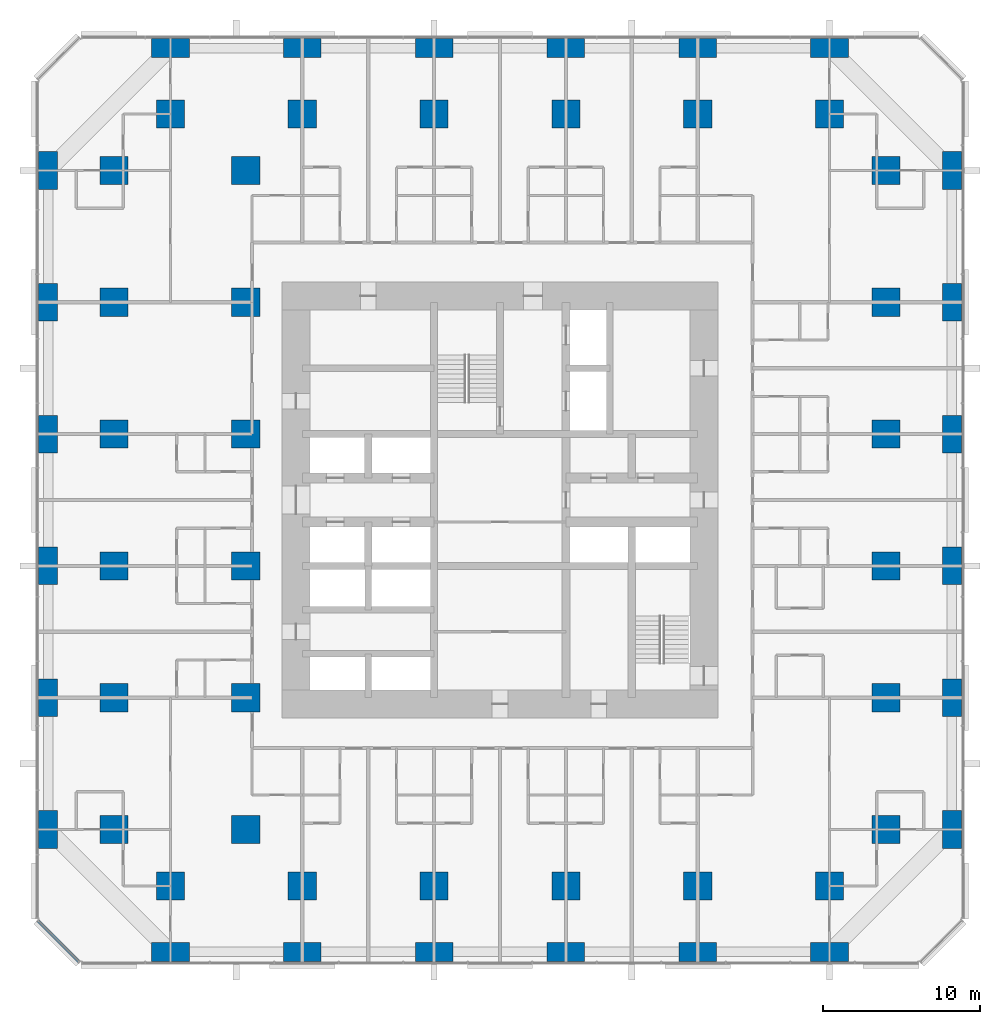
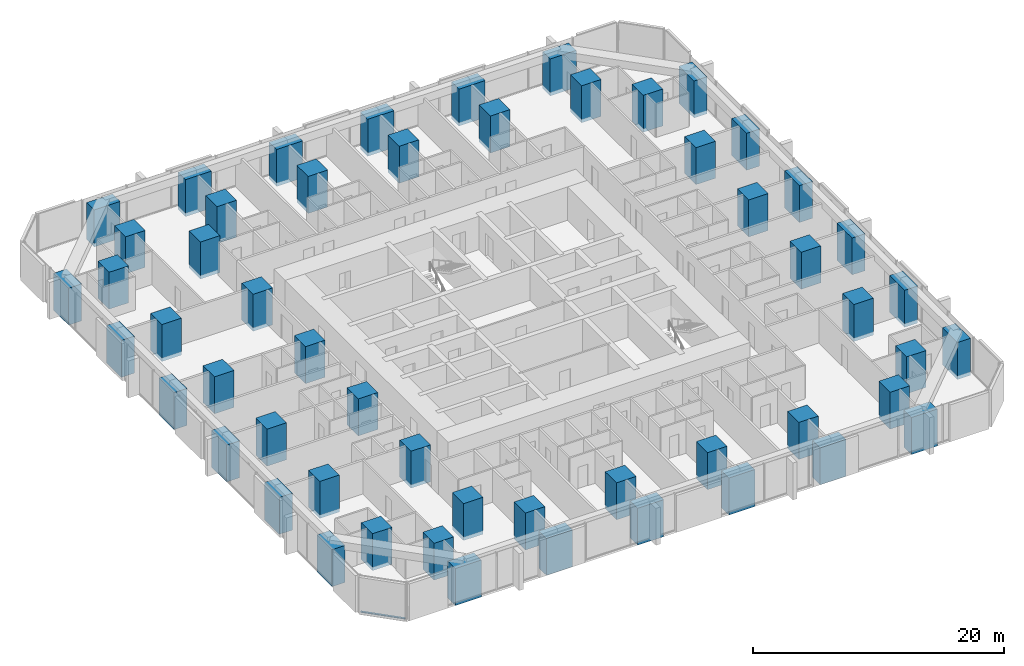
# One storey, part 1 of 18: 54 columns, 1 member, 1 element without a shape of its own.
"""IFC4 building model written with IfcOpenShell, lengths in metres."""

from ifc_helpers import new_model, si_unit, direction, frame, origin, origin_2d, place, context, subcontext, project, spatial, rectangle, extrude, material, material_profile, profile_set, type_object, element, aggregate, save


model = new_model("IFC4")

# Units and contexts
model_context = context("Model", 3, precision=1e-05, world=origin(), true_north=direction((0.0, 1.0)))
body_context = subcontext(model_context, "Body", "Model", "MODEL_VIEW")
ifc_project = project(units=[si_unit("LENGTHUNIT", "METRE"), si_unit("AREAUNIT", "SQUARE_METRE"), si_unit("VOLUMEUNIT", "CUBIC_METRE"), si_unit("PLANEANGLEUNIT", "RADIAN"), si_unit("MASSUNIT", "GRAM", prefix="KILO")], contexts=[model_context])

# Site, building, storey
site_placement = place(None, origin())
site = spatial("IfcSite", under=ifc_project, at=site_placement, CompositionType="ELEMENT")
building_placement = place(site_placement, origin())
building = spatial("IfcBuilding", under=site, at=building_placement, Name="Dunama Terrace Hotel", CompositionType="ELEMENT")
storey_placement = place(building_placement, frame((0.0, 0.0, 30.60009765625)))
storey = spatial("IfcBuildingStorey", under=building, at=storey_placement, Name="L06", CompositionType="ELEMENT", Elevation=30.60009765625)

# Columns
ifc_material_1 = material(Name="Concrete C60/75", Category="concrete")
ifc_material_profile_1 = material_profile(ifc_material_1, rectangle(XDim=1.199951171875, YDim=2.39990234375, at=origin_2d()), Name="RC 1200x2400")
ifc_profile_set_1 = profile_set([ifc_material_profile_1], Name="Concrete C60/75")
column_type_1 = type_object("IfcColumnType", Name="Column RC 1200x2400", PredefinedType="COLUMN", material=ifc_profile_set_1)
for number, where, z_axis, x_axis, name in (
    (1, (0.60009765625, 8.39990234375, -0.35009765625), (0.0, 0.0, 1.0), (1.0, 0.0, 0.0), "Column L06 +0.6/+8.4"),
    (2, (0.60009765625, 16.800048828125, -0.35009765625), (0.0, 0.0, 1.0), (1.0, 0.0, 0.0), "Column L06 +0.6/+16.8"),
    (3, (0.60009765625, 25.199951171875, -0.35009765625), (0.0, 0.0, 1.0), (1.0, 0.0, 0.0), "Column L06 +0.6/+25.2"),
    (4, (0.60009765625, 33.60009765625, -0.35009765625), (0.0, 0.0, 1.0), (1.0, 0.0, 0.0), "Column L06 +0.6/+33.6"),
    (5, (0.60009765625, 42.0, -0.35009765625), (0.0, 0.0, 1.0), (1.0, 0.0, 0.0), "Column L06 +0.6/+42.0"),
    (6, (0.60009765625, 50.39990234375, -0.35009765625), (0.0, 0.0, 1.0), (1.0, 0.0, 0.0), "Column L06 +0.6/+50.4"),
    (7, (58.199951171875, 8.39990234375, -0.35009765625), (0.0, 0.0, 1.0), (1.0, 0.0, 0.0), "Column L06 +58.2/+8.4"),
    (8, (58.199951171875, 16.800048828125, -0.35009765625), (0.0, 0.0, 1.0), (1.0, 0.0, 0.0), "Column L06 +58.2/+16.8"),
    (9, (58.199951171875, 25.199951171875, -0.35009765625), (0.0, 0.0, 1.0), (1.0, 0.0, 0.0), "Column L06 +58.2/+25.2"),
    (10, (58.199951171875, 33.60009765625, -0.35009765625), (0.0, 0.0, 1.0), (1.0, 0.0, 0.0), "Column L06 +58.2/+33.6"),
    (11, (58.199951171875, 42.0, -0.35009765625), (0.0, 0.0, 1.0), (1.0, 0.0, 0.0), "Column L06 +58.2/+42.0"),
    (12, (58.199951171875, 50.39990234375, -0.35009765625), (0.0, 0.0, 1.0), (1.0, 0.0, 0.0), "Column L06 +58.2/+50.4"),
):
    element("IfcColumn", number, at=place(storey_placement, frame(where, z_axis=z_axis, x_axis=x_axis)), inside=storey, type_object=column_type_1, Name=name, PredefinedType="COLUMN", context=body_context, shape_type="SweptSolid", body=[
        extrude(rectangle(XDim=1.199951171875, YDim=2.39990234375, at=origin_2d()), origin(), (0.0, 0.0, 1.0), 3.60009765625),
    ])
ifc_material_2 = material(Name="Concrete C60/75", Category="concrete")
ifc_material_profile_2 = material_profile(ifc_material_2, rectangle(XDim=1.800048828125, YDim=1.800048828125, at=origin_2d()), Name="RC 1800x1800")
ifc_profile_set_2 = profile_set([ifc_material_profile_2], Name="Concrete C60/75")
column_type_2 = type_object("IfcColumnType", Name="Column RC 1800x1800", PredefinedType="COLUMN", material=ifc_profile_set_2)
for number, where, z_axis, x_axis, name in (
    (13, (4.800048828125, 8.39990234375, -0.35009765625), (0.0, 0.0, 1.0), (1.0, 0.0, 0.0), "Column L06 +4.8/+8.4"),
    (14, (4.800048828125, 16.800048828125, -0.35009765625), (0.0, 0.0, 1.0), (1.0, 0.0, 0.0), "Column L06 +4.8/+16.8"),
    (15, (4.800048828125, 25.199951171875, -0.35009765625), (0.0, 0.0, 1.0), (1.0, 0.0, 0.0), "Column L06 +4.8/+25.2"),
    (16, (4.800048828125, 33.60009765625, -0.35009765625), (0.0, 0.0, 1.0), (1.0, 0.0, 0.0), "Column L06 +4.8/+33.6"),
    (17, (4.800048828125, 42.0, -0.35009765625), (0.0, 0.0, 1.0), (1.0, 0.0, 0.0), "Column L06 +4.8/+42.0"),
    (18, (4.800048828125, 50.39990234375, -0.35009765625), (0.0, 0.0, 1.0), (1.0, 0.0, 0.0), "Column L06 +4.8/+50.4"),
    (19, (8.39990234375, 4.800048828125, -0.35009765625), (0.0, 0.0, 1.0), (1.0, 0.0, 0.0), "Column L06 +8.4/+4.8"),
    (20, (8.39990234375, 54.0, -0.35009765625), (0.0, 0.0, 1.0), (1.0, 0.0, 0.0), "Column L06 +8.4/+54.0"),
    (21, (13.199951171875, 8.39990234375, -0.35009765625), (0.0, 0.0, 1.0), (1.0, 0.0, 0.0), "Column L06 +13.2/+8.4"),
    (22, (13.199951171875, 16.800048828125, -0.35009765625), (0.0, 0.0, 1.0), (1.0, 0.0, 0.0), "Column L06 +13.2/+16.8"),
    (23, (13.199951171875, 25.199951171875, -0.35009765625), (0.0, 0.0, 1.0), (1.0, 0.0, 0.0), "Column L06 +13.2/+25.2"),
    (24, (13.199951171875, 33.60009765625, -0.35009765625), (0.0, 0.0, 1.0), (1.0, 0.0, 0.0), "Column L06 +13.2/+33.6"),
    (25, (13.199951171875, 42.0, -0.35009765625), (0.0, 0.0, 1.0), (1.0, 0.0, 0.0), "Column L06 +13.2/+42.0"),
    (26, (13.199951171875, 50.39990234375, -0.35009765625), (0.0, 0.0, 1.0), (1.0, 0.0, 0.0), "Column L06 +13.2/+50.4"),
    (27, (16.800048828125, 4.800048828125, -0.35009765625), (0.0, 0.0, 1.0), (1.0, 0.0, 0.0), "Column L06 +16.8/+4.8"),
    (28, (16.800048828125, 54.0, -0.35009765625), (0.0, 0.0, 1.0), (1.0, 0.0, 0.0), "Column L06 +16.8/+54.0"),
    (29, (25.199951171875, 4.800048828125, -0.35009765625), (0.0, 0.0, 1.0), (1.0, 0.0, 0.0), "Column L06 +25.2/+4.8"),
    (30, (25.199951171875, 54.0, -0.35009765625), (0.0, 0.0, 1.0), (1.0, 0.0, 0.0), "Column L06 +25.2/+54.0"),
    (31, (33.60009765625, 4.800048828125, -0.35009765625), (0.0, 0.0, 1.0), (1.0, 0.0, 0.0), "Column L06 +33.6/+4.8"),
    (32, (33.60009765625, 54.0, -0.35009765625), (0.0, 0.0, 1.0), (1.0, 0.0, 0.0), "Column L06 +33.6/+54.0"),
    (33, (42.0, 4.800048828125, -0.35009765625), (0.0, 0.0, 1.0), (1.0, 0.0, 0.0), "Column L06 +42.0/+4.8"),
    (34, (42.0, 54.0, -0.35009765625), (0.0, 0.0, 1.0), (1.0, 0.0, 0.0), "Column L06 +42.0/+54.0"),
    (35, (50.39990234375, 4.800048828125, -0.35009765625), (0.0, 0.0, 1.0), (1.0, 0.0, 0.0), "Column L06 +50.4/+4.8"),
    (36, (50.39990234375, 54.0, -0.35009765625), (0.0, 0.0, 1.0), (1.0, 0.0, 0.0), "Column L06 +50.4/+54.0"),
    (37, (54.0, 8.39990234375, -0.35009765625), (0.0, 0.0, 1.0), (1.0, 0.0, 0.0), "Column L06 +54.0/+8.4"),
    (38, (54.0, 16.800048828125, -0.35009765625), (0.0, 0.0, 1.0), (1.0, 0.0, 0.0), "Column L06 +54.0/+16.8"),
    (39, (54.0, 25.199951171875, -0.35009765625), (0.0, 0.0, 1.0), (1.0, 0.0, 0.0), "Column L06 +54.0/+25.2"),
    (40, (54.0, 33.60009765625, -0.35009765625), (0.0, 0.0, 1.0), (1.0, 0.0, 0.0), "Column L06 +54.0/+33.6"),
    (41, (54.0, 42.0, -0.35009765625), (0.0, 0.0, 1.0), (1.0, 0.0, 0.0), "Column L06 +54.0/+42.0"),
    (42, (54.0, 50.39990234375, -0.35009765625), (0.0, 0.0, 1.0), (1.0, 0.0, 0.0), "Column L06 +54.0/+50.4"),
):
    element("IfcColumn", number, at=place(storey_placement, frame(where, z_axis=z_axis, x_axis=x_axis)), inside=storey, type_object=column_type_2, Name=name, PredefinedType="COLUMN", context=body_context, shape_type="SweptSolid", body=[
        extrude(rectangle(XDim=1.800048828125, YDim=1.800048828125, at=origin_2d()), origin(), (0.0, 0.0, 1.0), 3.60009765625),
    ])
ifc_material_3 = material(Name="Concrete C60/75", Category="concrete")
ifc_material_profile_3 = material_profile(ifc_material_3, rectangle(XDim=2.39990234375, YDim=1.199951171875, at=origin_2d()), Name="RC 2400x1200")
ifc_profile_set_3 = profile_set([ifc_material_profile_3], Name="Concrete C60/75")
column_type_3 = type_object("IfcColumnType", Name="Column RC 2400x1200", PredefinedType="COLUMN", material=ifc_profile_set_3)
for number, where, z_axis, x_axis, name in (
    (43, (8.39990234375, 0.60009765625, -0.35009765625), (0.0, 0.0, 1.0), (1.0, 0.0, 0.0), "Column L06 +8.4/+0.6"),
    (44, (8.39990234375, 58.199951171875, -0.35009765625), (0.0, 0.0, 1.0), (1.0, 0.0, 0.0), "Column L06 +8.4/+58.2"),
    (45, (16.800048828125, 0.60009765625, -0.35009765625), (0.0, 0.0, 1.0), (1.0, 0.0, 0.0), "Column L06 +16.8/+0.6"),
    (46, (16.800048828125, 58.199951171875, -0.35009765625), (0.0, 0.0, 1.0), (1.0, 0.0, 0.0), "Column L06 +16.8/+58.2"),
    (47, (25.199951171875, 0.60009765625, -0.35009765625), (0.0, 0.0, 1.0), (1.0, 0.0, 0.0), "Column L06 +25.2/+0.6"),
    (48, (25.199951171875, 58.199951171875, -0.35009765625), (0.0, 0.0, 1.0), (1.0, 0.0, 0.0), "Column L06 +25.2/+58.2"),
    (49, (33.60009765625, 0.60009765625, -0.35009765625), (0.0, 0.0, 1.0), (1.0, 0.0, 0.0), "Column L06 +33.6/+0.6"),
    (50, (33.60009765625, 58.199951171875, -0.35009765625), (0.0, 0.0, 1.0), (1.0, 0.0, 0.0), "Column L06 +33.6/+58.2"),
    (51, (42.0, 0.60009765625, -0.35009765625), (0.0, 0.0, 1.0), (1.0, 0.0, 0.0), "Column L06 +42.0/+0.6"),
    (52, (42.0, 58.199951171875, -0.35009765625), (0.0, 0.0, 1.0), (1.0, 0.0, 0.0), "Column L06 +42.0/+58.2"),
    (53, (50.39990234375, 0.60009765625, -0.35009765625), (0.0, 0.0, 1.0), (1.0, 0.0, 0.0), "Column L06 +50.4/+0.6"),
    (54, (50.39990234375, 58.199951171875, -0.35009765625), (0.0, 0.0, 1.0), (1.0, 0.0, 0.0), "Column L06 +50.4/+58.2"),
):
    element("IfcColumn", number, at=place(storey_placement, frame(where, z_axis=z_axis, x_axis=x_axis)), inside=storey, type_object=column_type_3, Name=name, PredefinedType="COLUMN", context=body_context, shape_type="SweptSolid", body=[
        extrude(rectangle(XDim=2.39990234375, YDim=1.199951171875, at=origin_2d()), origin(), (0.0, 0.0, 1.0), 3.60009765625),
    ])

# Curtain wall, member
ifc_material_4 = material(Name="Aluminium curtain wall system", Category="aluminium")
curtain_wall_type = type_object("IfcCurtainWallType", Name="Unitised fritted glass wall CW-A", PredefinedType="NOTDEFINED", material=ifc_material_4)
curtain_wall_placement = place(storey_placement, origin())
curtain_wall = element("IfcCurtainWall", 55, at=curtain_wall_placement, inside=storey, type_object=curtain_wall_type, Name="Unitised fritted glass wall CW-A L06", PredefinedType="NOTDEFINED")
ifc_material_5 = material(Name="Aluminium transom", Category="aluminium")
ifc_material_profile_4 = material_profile(ifc_material_5, rectangle(XDim=0.179931640625, YDim=0.074951171875, at=origin_2d()), Name="CWA TRANSOM 180X75")
ifc_profile_set_4 = profile_set([ifc_material_profile_4], Name="Aluminium transom")
member_type = type_object("IfcMemberType", Name="CWA transom 180x75", PredefinedType="USERDEFINED", material=ifc_profile_set_4)
member_placement = place(storey_placement, frame((-0.02490234375, 2.5830078125, 0.037353515625), z_axis=(0.707106781187, -0.707106781187, 0.0), x_axis=(0.707106781187, 0.707106781187, 0.0)))
member = element("IfcMember", 56, at=member_placement, type_object=member_type, Name="CWA transom", ObjectType="TRANSOM", PredefinedType="USERDEFINED", context=body_context, shape_type="SweptSolid", body=[
    extrude(rectangle(XDim=0.179931640625, YDim=0.074951171875, at=origin_2d()), origin(), (0.0, 0.0, 1.0), 3.688232421875),
])
aggregate(curtain_wall, [member])

save(model, "model.ifc")
